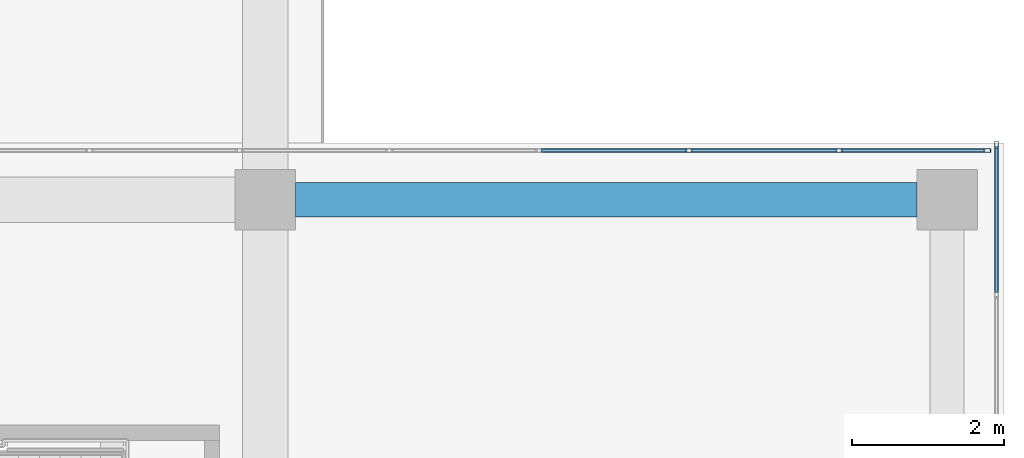
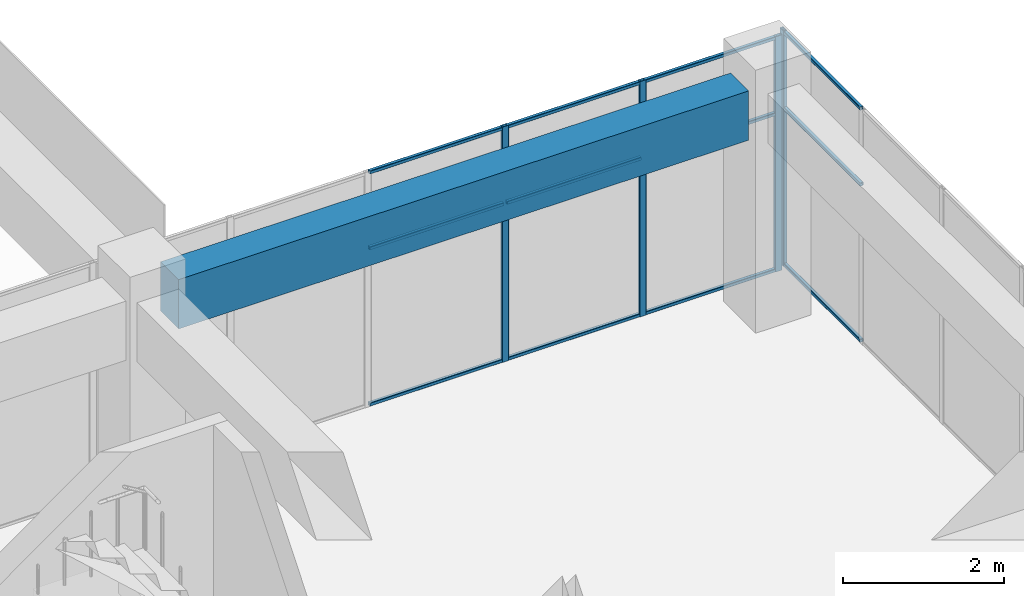
# One storey, part 53 of 72: 16 members, 1 beam, 2 elements without a shape of their own.
"""IFC4 building model written with IfcOpenShell, lengths in metres."""

from ifc_helpers import new_model, si_unit, direction, frame, origin, origin_2d, place, context, subcontext, project, spatial, rectangle, hollow_rectangle, extrude, material, layer, layer_set, material_profile, profile_set, type_object, element, aggregate, save


model = new_model("IFC4")

# Units and contexts
model_context = context("Model", 3, precision=1e-05, world=origin(), true_north=direction((0.0, 1.0)))
body_context = subcontext(model_context, "Body", "Model", "MODEL_VIEW")
ifc_project = project(units=[si_unit("LENGTHUNIT", "METRE"), si_unit("AREAUNIT", "SQUARE_METRE"), si_unit("VOLUMEUNIT", "CUBIC_METRE"), si_unit("PLANEANGLEUNIT", "RADIAN"), si_unit("MASSUNIT", "GRAM", prefix="KILO")], contexts=[model_context])

# Site, building, storey
site_placement = place(None, origin())
site = spatial("IfcSite", under=ifc_project, at=site_placement, CompositionType="ELEMENT")
building_placement = place(site_placement, origin())
building = spatial("IfcBuilding", under=site, at=building_placement, Name="Tuart Plaza Theatre", CompositionType="ELEMENT")
storey_placement = place(building_placement, frame((0.0, 0.0, 13.5)))
storey = spatial("IfcBuildingStorey", under=building, at=storey_placement, Name="L03", CompositionType="ELEMENT", Elevation=13.5)

# Beam
ifc_material_1 = material(Name="Concrete N40 (40 MPa)", Category="concrete")
ifc_material_profile_1 = material_profile(ifc_material_1, rectangle(XDim=0.449951171875, YDim=0.75, at=origin_2d()), Name="BEAM 450x750 Concrete N40 (40 MPa)")
ifc_profile_set_1 = profile_set([ifc_material_profile_1], Name="Concrete N40 (40 MPa)")
beam_type = type_object("IfcBeamType", Name="BEAM 450x750 Concrete N40 (40 MPa)", PredefinedType="BEAM", material=ifc_profile_set_1)
beam_placement = place(storey_placement, frame((141.39990234375, 92.0, 3.205078125), z_axis=(1.0, 0.0, 0.0), x_axis=(0.0, 1.0, 0.0)))
element("IfcBeam", 1, at=beam_placement, inside=storey, type_object=beam_type, Name="RB193", PredefinedType="BEAM", context=body_context, shape_type="SweptSolid", body=[
    extrude(rectangle(XDim=0.449951171875, YDim=0.75, at=origin_2d()), origin(), (0.0, 0.0, 1.0), 8.2001953125),
])

# Curtain wall, member
ifc_material_2 = material(Name="Aluminium and glass", Category="aluminium")
ifc_layer = layer(ifc_material_2, 0.10009765625)
ifc_layer_set = layer_set([ifc_layer], Name="CURTAIN WALL 2000 module")
curtain_wall_type = type_object("IfcCurtainWallType", Name="CURTAIN WALL 2000 module", PredefinedType="NOTDEFINED", material=ifc_layer_set)
curtain_wall_1_placement = place(storey_placement, origin())
curtain_wall_1 = element("IfcCurtainWall", 2, at=curtain_wall_1_placement, inside=storey, type_object=curtain_wall_type, Name="CW69", PredefinedType="NOTDEFINED")
ifc_material_3 = material(Name="Aluminium 6063-T5", Category="aluminium")
ifc_material_profile_2 = material_profile(ifc_material_3, hollow_rectangle(XDim=0.050048828125, YDim=0.10009765625, WallThickness=0.00390625, InnerFilletRadius=0.00390625, OuterFilletRadius=0.008056640625, at=origin_2d()), Name="RHS 100x50x4")
ifc_profile_set_2 = profile_set([ifc_material_profile_2], Name="Aluminium 6063-T5")
member_type_1 = type_object("IfcMemberType", Name="MULLION RHS 100x50x4", PredefinedType="MULLION", material=ifc_profile_set_2)
member_1_placement = place(storey_placement, frame((150.64990234375, 92.72509765625, 0.0), z_axis=(0.0, 0.0, 1.0), x_axis=(-1.0, 0.0, 0.0)))
member_1 = element("IfcMember", 3, at=member_1_placement, type_object=member_type_1, Name="CW69 mullion 22", PredefinedType="MULLION", context=body_context, shape_type="SweptSolid", body=[
    extrude(hollow_rectangle(XDim=0.050048828125, YDim=0.10009765625, WallThickness=0.00390625, InnerFilletRadius=0.00390625, OuterFilletRadius=0.008056640625, at=origin_2d()), origin(), (0.0, 0.0, 1.0), 3.580078125),
])

# Curtain wall, members
curtain_wall_2_placement = place(storey_placement, origin())
curtain_wall_2 = element("IfcCurtainWall", 4, at=curtain_wall_2_placement, inside=storey, type_object=curtain_wall_type, Name="CW70", PredefinedType="NOTDEFINED")
member_2_placement = place(storey_placement, frame((150.52490234375, 92.64990234375, 0.0), z_axis=(0.0, 0.0, 1.0), x_axis=(0.0, -1.0, 0.0)))
member_2 = element("IfcMember", 5, at=member_2_placement, type_object=member_type_1, Name="CW70 mullion 1", PredefinedType="MULLION", context=body_context, shape_type="SweptSolid", body=[
    extrude(hollow_rectangle(XDim=0.050048828125, YDim=0.10009765625, WallThickness=0.00390625, InnerFilletRadius=0.00390625, OuterFilletRadius=0.008056640625, at=origin_2d()), origin(), (0.0, 0.0, 1.0), 3.580078125),
])
member_3_placement = place(storey_placement, frame((148.572265625, 92.64990234375, 0.0), z_axis=(0.0, 0.0, 1.0), x_axis=(0.0, -1.0, 0.0)))
member_3 = element("IfcMember", 6, at=member_3_placement, type_object=member_type_1, Name="CW70 mullion 2", PredefinedType="MULLION", context=body_context, shape_type="SweptSolid", body=[
    extrude(hollow_rectangle(XDim=0.050048828125, YDim=0.10009765625, WallThickness=0.00390625, InnerFilletRadius=0.00390625, OuterFilletRadius=0.008056640625, at=origin_2d()), origin(), (0.0, 0.0, 1.0), 3.580078125),
])
member_4_placement = place(storey_placement, frame((146.594482421875, 92.64990234375, 0.0), z_axis=(0.0, 0.0, 1.0), x_axis=(0.0, -1.0, 0.0)))
member_4 = element("IfcMember", 7, at=member_4_placement, type_object=member_type_1, Name="CW70 mullion 3", PredefinedType="MULLION", context=body_context, shape_type="SweptSolid", body=[
    extrude(hollow_rectangle(XDim=0.050048828125, YDim=0.10009765625, WallThickness=0.00390625, InnerFilletRadius=0.00390625, OuterFilletRadius=0.008056640625, at=origin_2d()), origin(), (0.0, 0.0, 1.0), 3.580078125),
])

# Member
ifc_material_4 = material(Name="Aluminium 6063-T5", Category="aluminium")
ifc_material_profile_3 = material_profile(ifc_material_4, hollow_rectangle(XDim=0.050048828125, YDim=0.050048828125, WallThickness=0.00390625, InnerFilletRadius=0.00390625, OuterFilletRadius=0.008056640625, at=origin_2d()), Name="RHS 50x50x4")
ifc_profile_set_3 = profile_set([ifc_material_profile_3], Name="Aluminium 6063-T5")
member_type_2 = type_object("IfcMemberType", Name="TRANSOM RHS 50x50x4", PredefinedType="USERDEFINED", material=ifc_profile_set_3)
member_5_placement = place(storey_placement, frame((150.64990234375, 90.77490234375, 0.02490234375), z_axis=(0.0, 1.0, 0.0), x_axis=(-1.0, 0.0, 0.0)))
member_5 = element("IfcMember", 8, at=member_5_placement, type_object=member_type_2, Name="CW69 transom 21.1", ObjectType="TRANSOM", PredefinedType="USERDEFINED", context=body_context, shape_type="SweptSolid", body=[
    extrude(hollow_rectangle(XDim=0.050048828125, YDim=0.050048828125, WallThickness=0.00390625, InnerFilletRadius=0.00390625, OuterFilletRadius=0.008056640625, at=origin_2d()), origin(), (0.0, 0.0, 1.0), 1.925048828125),
])

member_6_placement = place(storey_placement, frame((150.64990234375, 90.77490234375, 2.39990234375), z_axis=(0.0, 1.0, 0.0), x_axis=(-1.0, 0.0, 0.0)))
member_6 = element("IfcMember", 9, at=member_6_placement, type_object=member_type_2, Name="CW69 transom 21.2", ObjectType="TRANSOM", PredefinedType="USERDEFINED", context=body_context, shape_type="SweptSolid", body=[
    extrude(hollow_rectangle(XDim=0.050048828125, YDim=0.050048828125, WallThickness=0.00390625, InnerFilletRadius=0.00390625, OuterFilletRadius=0.008056640625, at=origin_2d()), origin(), (0.0, 0.0, 1.0), 1.925048828125),
])

member_7_placement = place(storey_placement, frame((150.64990234375, 90.77490234375, 3.554931640625), z_axis=(0.0, 1.0, 0.0), x_axis=(-1.0, 0.0, 0.0)))
member_7 = element("IfcMember", 10, at=member_7_placement, type_object=member_type_2, Name="CW69 transom 21.3", ObjectType="TRANSOM", PredefinedType="USERDEFINED", context=body_context, shape_type="SweptSolid", body=[
    extrude(hollow_rectangle(XDim=0.050048828125, YDim=0.050048828125, WallThickness=0.00390625, InnerFilletRadius=0.00390625, OuterFilletRadius=0.008056640625, at=origin_2d()), origin(), (0.0, 0.0, 1.0), 1.925048828125),
])

aggregate(curtain_wall_1, [member_1, member_5, member_6, member_7])

member_8_placement = place(storey_placement, frame((150.5, 92.64990234375, 0.02490234375), z_axis=(-1.0, 0.0, 0.0), x_axis=(0.0, -1.0, 0.0)))
member_8 = element("IfcMember", 11, at=member_8_placement, type_object=member_type_2, Name="CW70 transom 1.1", ObjectType="TRANSOM", PredefinedType="USERDEFINED", context=body_context, shape_type="SweptSolid", body=[
    extrude(hollow_rectangle(XDim=0.050048828125, YDim=0.050048828125, WallThickness=0.00390625, InnerFilletRadius=0.00390625, OuterFilletRadius=0.008056640625, at=origin_2d()), origin(), (0.0, 0.0, 1.0), 1.90283203125),
])

member_9_placement = place(storey_placement, frame((150.5, 92.64990234375, 2.39990234375), z_axis=(-1.0, 0.0, 0.0), x_axis=(0.0, -1.0, 0.0)))
member_9 = element("IfcMember", 12, at=member_9_placement, type_object=member_type_2, Name="CW70 transom 1.2", ObjectType="TRANSOM", PredefinedType="USERDEFINED", context=body_context, shape_type="SweptSolid", body=[
    extrude(hollow_rectangle(XDim=0.050048828125, YDim=0.050048828125, WallThickness=0.00390625, InnerFilletRadius=0.00390625, OuterFilletRadius=0.008056640625, at=origin_2d()), origin(), (0.0, 0.0, 1.0), 1.90283203125),
])

member_10_placement = place(storey_placement, frame((150.5, 92.64990234375, 3.554931640625), z_axis=(-1.0, 0.0, 0.0), x_axis=(0.0, -1.0, 0.0)))
member_10 = element("IfcMember", 13, at=member_10_placement, type_object=member_type_2, Name="CW70 transom 1.3", ObjectType="TRANSOM", PredefinedType="USERDEFINED", context=body_context, shape_type="SweptSolid", body=[
    extrude(hollow_rectangle(XDim=0.050048828125, YDim=0.050048828125, WallThickness=0.00390625, InnerFilletRadius=0.00390625, OuterFilletRadius=0.008056640625, at=origin_2d()), origin(), (0.0, 0.0, 1.0), 1.90283203125),
])

member_11_placement = place(storey_placement, frame((148.547119140625, 92.64990234375, 0.02490234375), z_axis=(-1.0, 0.0, 0.0), x_axis=(0.0, -1.0, 0.0)))
member_11 = element("IfcMember", 14, at=member_11_placement, type_object=member_type_2, Name="CW70 transom 2.1", ObjectType="TRANSOM", PredefinedType="USERDEFINED", context=body_context, shape_type="SweptSolid", body=[
    extrude(hollow_rectangle(XDim=0.050048828125, YDim=0.050048828125, WallThickness=0.00390625, InnerFilletRadius=0.00390625, OuterFilletRadius=0.008056640625, at=origin_2d()), origin(), (0.0, 0.0, 1.0), 1.927734375),
])

member_12_placement = place(storey_placement, frame((148.547119140625, 92.64990234375, 2.39990234375), z_axis=(-1.0, 0.0, 0.0), x_axis=(0.0, -1.0, 0.0)))
member_12 = element("IfcMember", 15, at=member_12_placement, type_object=member_type_2, Name="CW70 transom 2.2", ObjectType="TRANSOM", PredefinedType="USERDEFINED", context=body_context, shape_type="SweptSolid", body=[
    extrude(hollow_rectangle(XDim=0.050048828125, YDim=0.050048828125, WallThickness=0.00390625, InnerFilletRadius=0.00390625, OuterFilletRadius=0.008056640625, at=origin_2d()), origin(), (0.0, 0.0, 1.0), 1.927734375),
])

member_13_placement = place(storey_placement, frame((148.547119140625, 92.64990234375, 3.554931640625), z_axis=(-1.0, 0.0, 0.0), x_axis=(0.0, -1.0, 0.0)))
member_13 = element("IfcMember", 16, at=member_13_placement, type_object=member_type_2, Name="CW70 transom 2.3", ObjectType="TRANSOM", PredefinedType="USERDEFINED", context=body_context, shape_type="SweptSolid", body=[
    extrude(hollow_rectangle(XDim=0.050048828125, YDim=0.050048828125, WallThickness=0.00390625, InnerFilletRadius=0.00390625, OuterFilletRadius=0.008056640625, at=origin_2d()), origin(), (0.0, 0.0, 1.0), 1.927734375),
])

member_14_placement = place(storey_placement, frame((146.5693359375, 92.64990234375, 0.02490234375), z_axis=(-1.0, 0.0, 0.0), x_axis=(0.0, -1.0, 0.0)))
member_14 = element("IfcMember", 17, at=member_14_placement, type_object=member_type_2, Name="CW70 transom 3.1", ObjectType="TRANSOM", PredefinedType="USERDEFINED", context=body_context, shape_type="SweptSolid", body=[
    extrude(hollow_rectangle(XDim=0.050048828125, YDim=0.050048828125, WallThickness=0.00390625, InnerFilletRadius=0.00390625, OuterFilletRadius=0.008056640625, at=origin_2d()), origin(), (0.0, 0.0, 1.0), 1.927734375),
])

member_15_placement = place(storey_placement, frame((146.5693359375, 92.64990234375, 2.39990234375), z_axis=(-1.0, 0.0, 0.0), x_axis=(0.0, -1.0, 0.0)))
member_15 = element("IfcMember", 18, at=member_15_placement, type_object=member_type_2, Name="CW70 transom 3.2", ObjectType="TRANSOM", PredefinedType="USERDEFINED", context=body_context, shape_type="SweptSolid", body=[
    extrude(hollow_rectangle(XDim=0.050048828125, YDim=0.050048828125, WallThickness=0.00390625, InnerFilletRadius=0.00390625, OuterFilletRadius=0.008056640625, at=origin_2d()), origin(), (0.0, 0.0, 1.0), 1.927734375),
])

member_16_placement = place(storey_placement, frame((146.5693359375, 92.64990234375, 3.554931640625), z_axis=(-1.0, 0.0, 0.0), x_axis=(0.0, -1.0, 0.0)))
member_16 = element("IfcMember", 19, at=member_16_placement, type_object=member_type_2, Name="CW70 transom 3.3", ObjectType="TRANSOM", PredefinedType="USERDEFINED", context=body_context, shape_type="SweptSolid", body=[
    extrude(hollow_rectangle(XDim=0.050048828125, YDim=0.050048828125, WallThickness=0.00390625, InnerFilletRadius=0.00390625, OuterFilletRadius=0.008056640625, at=origin_2d()), origin(), (0.0, 0.0, 1.0), 1.927734375),
])

aggregate(curtain_wall_2, [member_2, member_3, member_4, member_8, member_9, member_10, member_11, member_12, member_13, member_14, member_15, member_16])

save(model, "model.ifc")
